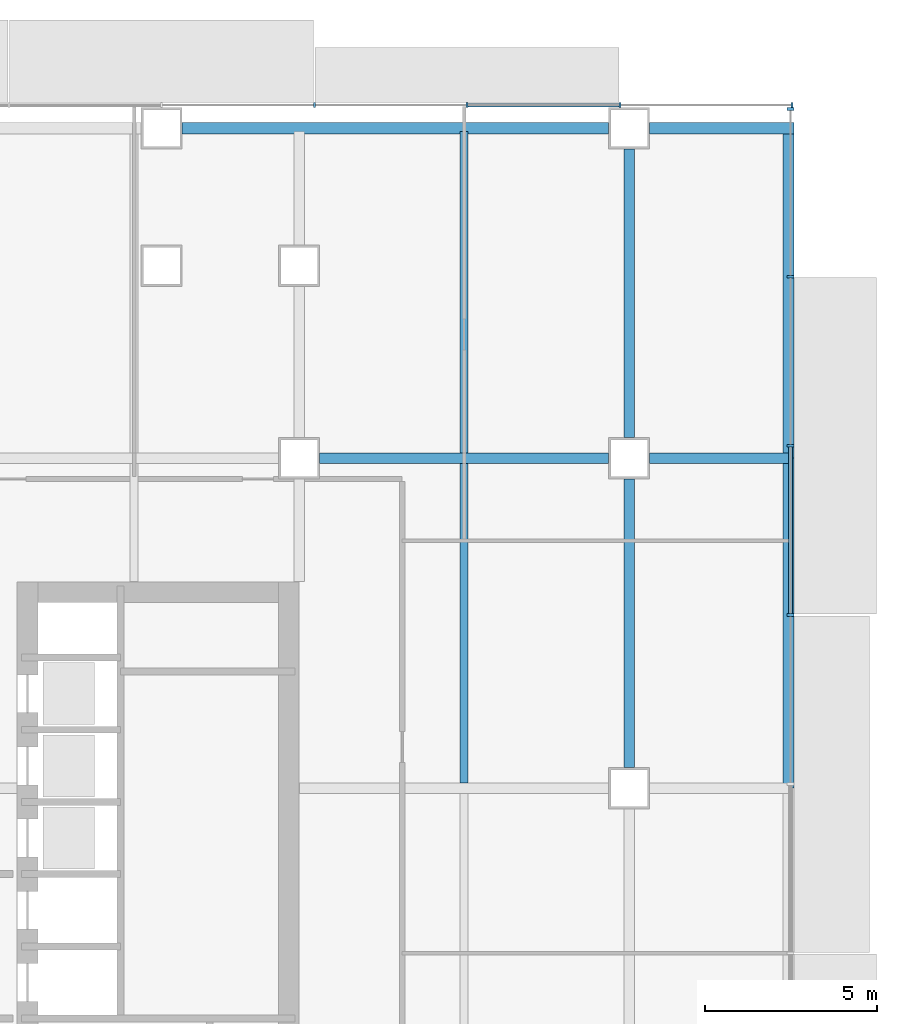
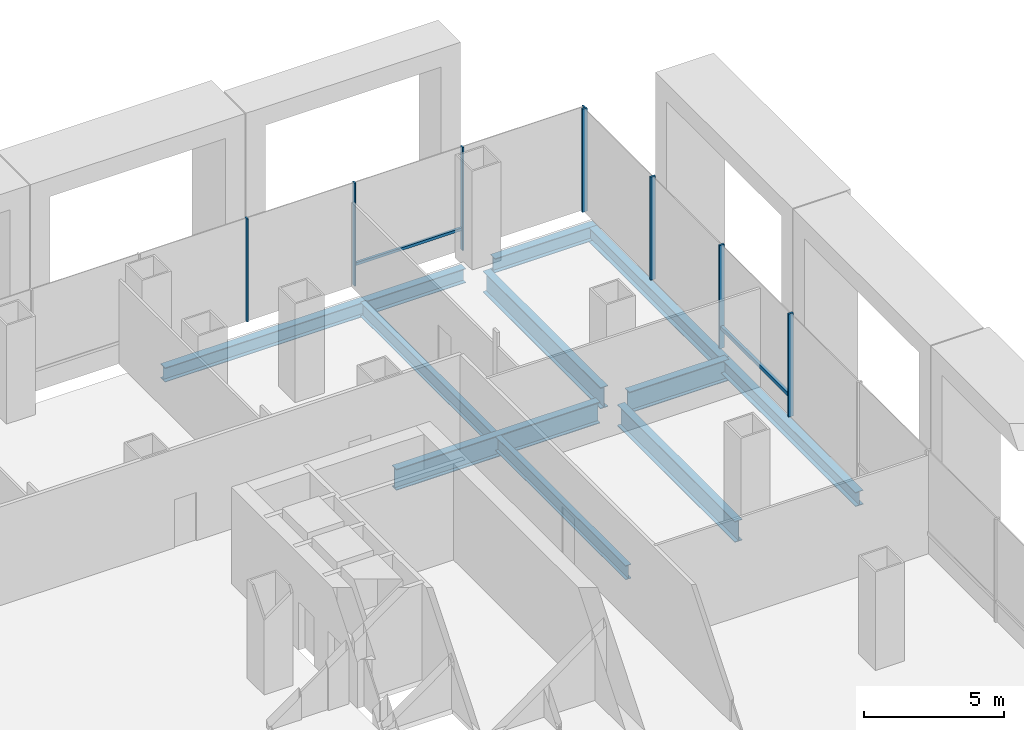
# One storey, part 11 of 23: 10 beams, 10 members, 2 elements without a shape of their own.
"""IFC4 building model written with IfcOpenShell, lengths in metres."""

import ifcopenshell
import ifcopenshell.guid

model = None  # the IFC model being written
_history = None  # IfcOwnerHistory: only IFC2X3 demands one
_inside = {}  # id of a spatial element -> (the spatial element, [elements in it])
_under = {}  # id of a project, library or spatial element -> (it, [spatial elements below it])
_declared = {}  # id of a project -> (the project, [libraries it declares])
_typed = {}  # id of a type object -> (the type object, [elements of that type])
_made_of = {}  # id of a material, layer set ... -> (it, [elements and type objects made of it])


def new_model(schema):
    """Start an empty IFC model of exactly this schema.

    Asked for "IFC4X3", IfcOpenShell would pick the latest addendum, in which some entities
    have other attributes; the version numbers below select the first issue.
    IFC2X3 requires an IfcOwnerHistory on every rooted entity: one is made here for all.
    """
    global model, _history
    if schema == "IFC4X3":
        model = ifcopenshell.file(schema_version=(4, 3, 0, 0))
    else:
        model = ifcopenshell.file(schema=schema)
    _inside.clear()
    _under.clear()
    _declared.clear()
    _typed.clear()
    _made_of.clear()
    _history = None
    if model.schema == "IFC2X3":
        org = make("IfcOrganization", Name="unknown")
        user = make(
            "IfcPersonAndOrganization",
            ThePerson=make("IfcPerson", FamilyName="unknown"),
            TheOrganization=org,
        )
        app = make(
            "IfcApplication",
            ApplicationDeveloper=org,
            Version="unknown",
            ApplicationFullName="unknown",
            ApplicationIdentifier="unknown",
        )
        _history = make(
            "IfcOwnerHistory",
            OwningUser=user,
            OwningApplication=app,
            ChangeAction="ADDED",
            CreationDate=0,
        )
    return model


def make(cls, **values):
    """One entity of the class cls with the attributes given. An attribute that is None is left unset."""
    return model.create_entity(
        cls, **{name: value for name, value in values.items() if value is not None}
    )


def rooted(cls, **values):
    """An entity with a GlobalId (a new one), such as an element, a storey or a relation."""
    return make(cls, GlobalId=ifcopenshell.guid.new(), OwnerHistory=_history, **values)


def si_unit(unit_type, name, prefix=None):
    """IfcSIUnit, for example si_unit("LENGTHUNIT", "METRE", prefix="MILLI")."""
    return make("IfcSIUnit", UnitType=unit_type, Prefix=prefix, Name=name)


def assignment(units):
    """IfcUnitAssignment: the units of a project."""
    return None if units is None else make("IfcUnitAssignment", Units=units)


def point(xyz):
    """IfcCartesianPoint."""
    return None if xyz is None else make("IfcCartesianPoint", Coordinates=xyz)


def direction(xyz):
    """IfcDirection."""
    return None if xyz is None else make("IfcDirection", DirectionRatios=xyz)


def frame(location, z_axis=None, x_axis=None):
    """IfcAxis2Placement3D, a coordinate frame: its origin and axes. An axis left out is left unset."""
    return make(
        "IfcAxis2Placement3D",
        Location=point(location),
        Axis=direction(z_axis),
        RefDirection=direction(x_axis),
    )


def frame_2d(location, x_axis=None):
    """IfcAxis2Placement2D, a coordinate frame in the plane: its origin and x axis."""
    return make(
        "IfcAxis2Placement2D", Location=point(location), RefDirection=direction(x_axis)
    )


def origin():
    """The frame at (0, 0, 0) with its axes left unset."""
    return frame((0.0, 0.0, 0.0))


def origin_2d():
    """The frame at (0, 0) in the plane with its x axis left unset."""
    return frame_2d((0.0, 0.0))


def place(relative_to, where):
    """IfcLocalPlacement: puts the frame where relative to a parent placement (None: the world)."""
    return make(
        "IfcLocalPlacement", PlacementRelTo=relative_to, RelativePlacement=where
    )


def context(
    kind, dimensions, precision=None, world=None, true_north=None, identifier=None
):
    """IfcGeometricRepresentationContext, for example the 3D "Model" context."""
    return make(
        "IfcGeometricRepresentationContext",
        ContextIdentifier=identifier,
        ContextType=kind,
        CoordinateSpaceDimension=dimensions,
        Precision=precision,
        WorldCoordinateSystem=world,
        TrueNorth=true_north,
    )


def subcontext(parent, identifier, kind, view, scale=None):
    """IfcGeometricRepresentationSubContext, for example "Body" below "Model"."""
    return make(
        "IfcGeometricRepresentationSubContext",
        ContextIdentifier=identifier,
        ContextType=kind,
        ParentContext=parent,
        TargetScale=scale,
        TargetView=view,
    )


def project(units=None, contexts=None):
    """IfcProject with its units and contexts."""
    return rooted(
        "IfcProject",
        Name="project",
        RepresentationContexts=contexts,
        UnitsInContext=assignment(units),
    )


def spatial(cls, under=None, at=None, **own):
    """A site, building, storey or space (cls), placed at a placement, below another one or the project."""
    s = rooted(cls, ObjectPlacement=at, **own)
    if under is not None:
        _under.setdefault(under.id(), (under, []))[1].append(s)
    return s


def profile(cls, at=None, kind="AREA", **sizes):
    """A parametric profile (cls). Its sizes go by their IFC names, for example OverallWidth=200.0."""
    return make(cls, ProfileType=kind, Position=at, **sizes)


def rectangle(**sizes):
    """IfcRectangleProfileDef."""
    return profile("IfcRectangleProfileDef", **sizes)


def i_section(**sizes):
    """IfcIShapeProfileDef."""
    return profile("IfcIShapeProfileDef", **sizes)


def extrude(swept, where, along, depth):
    """IfcExtrudedAreaSolid: the profile swept, set in the frame where, extruded along a direction by depth."""
    return make(
        "IfcExtrudedAreaSolid",
        SweptArea=swept,
        Position=where,
        ExtrudedDirection=direction(along),
        Depth=depth,
    )


def shape(context_of_items, identifier, shape_type, items):
    """IfcShapeRepresentation: the items that make up one representation, for example the "Body"."""
    return make(
        "IfcShapeRepresentation",
        ContextOfItems=context_of_items,
        RepresentationIdentifier=identifier,
        RepresentationType=shape_type,
        Items=items,
    )


def material(Name=None, Category=None):
    """IfcMaterial."""
    return make("IfcMaterial", Name=Name, Category=Category)


def material_profile(
    of_material, cross_section, Name=None, Category=None, Priority=None
):
    """IfcMaterialProfile: a cross section and its material."""
    return make(
        "IfcMaterialProfile",
        Name=Name,
        Material=of_material,
        Profile=cross_section,
        Priority=Priority,
        Category=Category,
    )


def profile_set(profiles, Name=None, composite=None):
    """IfcMaterialProfileSet."""
    return make(
        "IfcMaterialProfileSet",
        Name=Name,
        MaterialProfiles=profiles,
        CompositeProfile=composite,
    )


def made_of(thing, what):
    """Note that an element or type object is made of a material, layer set ...; save() writes the relation."""
    if what is not None:
        _made_of.setdefault(what.id(), (what, []))[1].append(thing)
    return thing


def type_object(cls, material=None, **own):
    """A type object (cls), such as IfcWallType, which elements share."""
    return made_of(rooted(cls, **own), material)


def element(
    cls,
    number,
    at=None,
    inside=None,
    cuts=None,
    type_object=None,
    material=None,
    context=None,
    identifier="Body",
    shape_type=None,
    held_by="IfcProductDefinitionShape",
    body=None,
    shapes=None,
    **own,
):
    """One element of the class cls, such as IfcWall. Its Tag is "e" and its number.

    at: its placement. inside: the storey or other place that contains it. cuts: it is an
    opening in that element (IfcRelVoidsElement). A single representation is given by context,
    identifier, shape_type and body (its items); several are given by shapes. held_by: the class
    of the entity that holds the representations. save() writes the other relations.
    """
    e = rooted(cls, Tag="e%d" % number, ObjectPlacement=at, **own)
    if body is not None:
        shapes = [shape(context, identifier, shape_type, body)]
    if shapes is not None:
        e.Representation = make(held_by, Representations=shapes)
    if inside is not None:
        _inside.setdefault(inside.id(), (inside, []))[1].append(e)
    if cuts is not None:
        rooted(
            "IfcRelVoidsElement", RelatingBuildingElement=cuts, RelatedOpeningElement=e
        )
    if type_object is not None:
        _typed.setdefault(type_object.id(), (type_object, []))[1].append(e)
    return made_of(e, material)


def aggregate(whole, parts):
    """IfcRelAggregates: a whole, such as a stair, and the parts it consists of."""
    return rooted("IfcRelAggregates", RelatingObject=whole, RelatedObjects=parts)


def save(model, path):
    """Write the relations noted so far, then the file.

    IfcRelAggregates (storeys below a building ...), IfcRelContainedInSpatialStructure (elements
    in a storey), IfcRelDefinesByType, IfcRelAssociatesMaterial and IfcRelDeclares: one each for
    every whole, place, type object, material and project.
    """
    for whole, parts in _under.values():
        aggregate(whole, parts)
    for where, things in _inside.values():
        rooted(
            "IfcRelContainedInSpatialStructure",
            RelatedElements=things,
            RelatingStructure=where,
        )
    for kind, things in _typed.values():
        rooted("IfcRelDefinesByType", RelatedObjects=things, RelatingType=kind)
    for what, things in _made_of.values():
        rooted("IfcRelAssociatesMaterial", RelatedObjects=things, RelatingMaterial=what)
    for by, libraries in _declared.values():
        rooted("IfcRelDeclares", RelatingContext=by, RelatedDefinitions=libraries)
    model.write(path)


model = new_model("IFC4")

# Units and contexts
model_context = context("Model", 3, precision=1e-05, world=origin(), true_north=direction((0.0, 1.0)))
body_context = subcontext(model_context, "Body", "Model", "MODEL_VIEW")
ifc_project = project(units=[si_unit("LENGTHUNIT", "METRE"), si_unit("AREAUNIT", "SQUARE_METRE"), si_unit("VOLUMEUNIT", "CUBIC_METRE"), si_unit("PLANEANGLEUNIT", "RADIAN"), si_unit("MASSUNIT", "GRAM", prefix="KILO")], contexts=[model_context])

# Site, building, storey
site_placement = place(None, origin())
site = spatial("IfcSite", under=ifc_project, at=site_placement, CompositionType="ELEMENT")
building_placement = place(site_placement, origin())
building = spatial("IfcBuilding", under=site, at=building_placement, Name="Cobrizo Arcos Hotel Tower", CompositionType="ELEMENT")
storey_placement = place(building_placement, frame((0.0, 0.0, 24.5)))
storey = spatial("IfcBuildingStorey", under=building, at=storey_placement, Name="L04", CompositionType="ELEMENT", Elevation=24.5)

# Curtain wall, members
ifc_material_1 = material(Name="Aluminium 6063-T6 anodised bronze", Category="aluminium")
curtain_wall_type_1 = type_object("IfcCurtainWallType", Name="CW-A guest facade", PredefinedType="NOTDEFINED", material=ifc_material_1)
curtain_wall_1_placement = place(storey_placement, origin())
curtain_wall_1 = element("IfcCurtainWall", 1, at=curtain_wall_1_placement, inside=storey, type_object=curtain_wall_type_1, Name="CW-A L04 N face", PredefinedType="NOTDEFINED")
ifc_material_profile_1 = material_profile(ifc_material_1, rectangle(XDim=0.14990234375, YDim=0.06005859375, at=origin_2d()), Name="CW-A mullion 150x60")
ifc_profile_set_1 = profile_set([ifc_material_profile_1], Name="Aluminium 6063-T6 anodised bronze")
member_type_1 = type_object("IfcMemberType", Name="CW-A mullion 150x60", PredefinedType="MULLION", material=ifc_profile_set_1)
member_1_placement = place(storey_placement, frame((38.344970703125, 24.675048828125, 0.0), z_axis=(0.0, 0.0, 1.0), x_axis=(0.0, 1.0, 0.0)))
member_1 = element("IfcMember", 2, at=member_1_placement, type_object=member_type_1, Name="CW-A mullion 1", PredefinedType="MULLION", context=body_context, shape_type="SweptSolid", body=[
    extrude(rectangle(XDim=0.14990234375, YDim=0.06005859375, at=origin_2d()), origin(), (0.0, 0.0, 1.0), 4.5),
])
member_2_placement = place(storey_placement, frame((33.333251953125, 24.675048828125, 0.0), z_axis=(0.0, 0.0, 1.0), x_axis=(0.0, 1.0, 0.0)))
member_2 = element("IfcMember", 3, at=member_2_placement, type_object=member_type_1, Name="CW-A mullion 2", PredefinedType="MULLION", context=body_context, shape_type="SweptSolid", body=[
    extrude(rectangle(XDim=0.14990234375, YDim=0.06005859375, at=origin_2d()), origin(), (0.0, 0.0, 1.0), 4.5),
])
member_3_placement = place(storey_placement, frame((28.888916015625, 24.675048828125, 0.0), z_axis=(0.0, 0.0, 1.0), x_axis=(0.0, 1.0, 0.0)))
member_3 = element("IfcMember", 4, at=member_3_placement, type_object=member_type_1, Name="CW-A mullion 3", PredefinedType="MULLION", context=body_context, shape_type="SweptSolid", body=[
    extrude(rectangle(XDim=0.14990234375, YDim=0.06005859375, at=origin_2d()), origin(), (0.0, 0.0, 1.0), 4.5),
])
member_4_placement = place(storey_placement, frame((24.4443359375, 24.675048828125, 0.0), z_axis=(0.0, 0.0, 1.0), x_axis=(0.0, 1.0, 0.0)))
member_4 = element("IfcMember", 5, at=member_4_placement, type_object=member_type_1, Name="CW-A mullion 4", PredefinedType="MULLION", context=body_context, shape_type="SweptSolid", body=[
    extrude(rectangle(XDim=0.14990234375, YDim=0.06005859375, at=origin_2d()), origin(), (0.0, 0.0, 1.0), 4.5),
])
ifc_material_profile_2 = material_profile(ifc_material_1, rectangle(XDim=0.10009765625, YDim=0.1201171875, at=origin_2d()), Name="CW-A transom 120x100")
ifc_profile_set_2 = profile_set([ifc_material_profile_2], Name="Aluminium 6063-T6 anodised bronze")
member_type_2 = type_object("IfcMemberType", Name="CW-A transom 120x100", PredefinedType="USERDEFINED", material=ifc_profile_set_2)
member_5_placement = place(storey_placement, frame((33.30322265625, 24.675048828125, 0.929931640625), z_axis=(-1.0, 0.0, 0.0), x_axis=(0.0, -1.0, 0.0)))
member_5 = element("IfcMember", 6, at=member_5_placement, type_object=member_type_2, Name="CW-A transom 226", ObjectType="TRANSOM", PredefinedType="USERDEFINED", context=body_context, shape_type="SweptSolid", body=[
    extrude(rectangle(XDim=0.10009765625, YDim=0.1201171875, at=origin_2d()), origin(), (0.0, 0.0, 1.0), 4.38427734375),
])
aggregate(curtain_wall_1, [member_1, member_2, member_3, member_4, member_5])

curtain_wall_type_2 = type_object("IfcCurtainWallType", Name="CW-B podium glazing", PredefinedType="NOTDEFINED", material=ifc_material_1)
curtain_wall_2_placement = place(storey_placement, origin())
curtain_wall_2 = element("IfcCurtainWall", 7, at=curtain_wall_2_placement, inside=storey, type_object=curtain_wall_type_2, Name="CW-B L04 E face", PredefinedType="NOTDEFINED")
ifc_material_profile_3 = material_profile(ifc_material_1, rectangle(XDim=0.199951171875, YDim=0.080078125, at=origin_2d()), Name="CW-B mullion 200x80")
ifc_profile_set_3 = profile_set([ifc_material_profile_3], Name="Aluminium 6063-T6 anodised bronze")
member_type_3 = type_object("IfcMemberType", Name="CW-B mullion 200x80", PredefinedType="MULLION", material=ifc_profile_set_3)
member_6_placement = place(storey_placement, frame((38.300048828125, 9.840087890625, 0.0), z_axis=(0.0, 0.0, 1.0), x_axis=(1.0, 0.0, 0.0)))
member_6 = element("IfcMember", 8, at=member_6_placement, type_object=member_type_3, Name="CW-B mullion 8", PredefinedType="MULLION", context=body_context, shape_type="SweptSolid", body=[
    extrude(rectangle(XDim=0.199951171875, YDim=0.080078125, at=origin_2d()), origin(), (0.0, 0.0, 1.0), 4.5),
])
member_7_placement = place(storey_placement, frame((38.300048828125, 14.760009765625, 0.0), z_axis=(0.0, 0.0, 1.0), x_axis=(1.0, 0.0, 0.0)))
member_7 = element("IfcMember", 9, at=member_7_placement, type_object=member_type_3, Name="CW-B mullion 9", PredefinedType="MULLION", context=body_context, shape_type="SweptSolid", body=[
    extrude(rectangle(XDim=0.199951171875, YDim=0.080078125, at=origin_2d()), origin(), (0.0, 0.0, 1.0), 4.5),
])
member_8_placement = place(storey_placement, frame((38.300048828125, 19.679931640625, 0.0), z_axis=(0.0, 0.0, 1.0), x_axis=(1.0, 0.0, 0.0)))
member_8 = element("IfcMember", 10, at=member_8_placement, type_object=member_type_3, Name="CW-B mullion 10", PredefinedType="MULLION", context=body_context, shape_type="SweptSolid", body=[
    extrude(rectangle(XDim=0.199951171875, YDim=0.080078125, at=origin_2d()), origin(), (0.0, 0.0, 1.0), 4.5),
])
member_9_placement = place(storey_placement, frame((38.300048828125, 24.56005859375, 0.0), z_axis=(0.0, 0.0, 1.0), x_axis=(1.0, 0.0, 0.0)))
member_9 = element("IfcMember", 11, at=member_9_placement, type_object=member_type_3, Name="CW-B mullion 11", PredefinedType="MULLION", context=body_context, shape_type="SweptSolid", body=[
    extrude(rectangle(XDim=0.199951171875, YDim=0.080078125, at=origin_2d()), origin(), (0.0, 0.0, 1.0), 4.5),
])
ifc_material_profile_4 = material_profile(ifc_material_1, rectangle(XDim=0.1201171875, YDim=0.159912109375, at=origin_2d()), Name="CW-B transom 160x120")
ifc_profile_set_4 = profile_set([ifc_material_profile_4], Name="Aluminium 6063-T6 anodised bronze")
member_type_4 = type_object("IfcMemberType", Name="CW-B transom 160x120", PredefinedType="USERDEFINED", material=ifc_profile_set_4)
member_10_placement = place(storey_placement, frame((38.300048828125, 9.8798828125, 0.89990234375), z_axis=(0.0, 1.0, 0.0), x_axis=(-1.0, 0.0, 0.0)))
member_10 = element("IfcMember", 12, at=member_10_placement, type_object=member_type_4, Name="CW-B transom 222", ObjectType="TRANSOM", PredefinedType="USERDEFINED", context=body_context, shape_type="SweptSolid", body=[
    extrude(rectangle(XDim=0.1201171875, YDim=0.159912109375, at=origin_2d()), origin(), (0.0, 0.0, 1.0), 4.840087890625),
])
aggregate(curtain_wall_2, [member_6, member_7, member_8, member_9, member_10])

# Beams
ifc_material_2 = material(Name="Steel ASTM A992 Grade 50", Category="steel")
ifc_material_profile_5 = material_profile(ifc_material_2, i_section(OverallWidth=0.32763671875, OverallDepth=0.622314453125, WebThickness=0.015380859375, FlangeThickness=0.0244140625, at=origin_2d()), Name="W24X131")
ifc_profile_set_5 = profile_set([ifc_material_profile_5], Name="Steel ASTM A992 Grade 50")
beam_type_1 = type_object("IfcBeamType", Name="W24X131 edge beam", PredefinedType="BEAM", material=ifc_profile_set_5)
beam_1_placement = place(storey_placement, frame((38.236083984375, 4.800048828125, -0.51123046875), z_axis=(0.0, 1.0, 0.0), x_axis=(-1.0, 0.0, 0.0)))
element("IfcBeam", 13, at=beam_1_placement, inside=storey, type_object=beam_type_1, Name="Edge beam EB1, L04, no. 004", PredefinedType="BEAM", context=body_context, shape_type="SweptSolid", body=[
    extrude(i_section(OverallWidth=0.32763671875, OverallDepth=0.622314453125, WebThickness=0.015380859375, FlangeThickness=0.0244140625, at=origin_2d()), origin(), (0.0, 0.0, 1.0), 9.599853515625),
])
beam_2_placement = place(storey_placement, frame((38.236083984375, 14.39990234375, -0.51123046875), z_axis=(0.0, 1.0, 0.0), x_axis=(-1.0, 0.0, 0.0)))
element("IfcBeam", 14, at=beam_2_placement, inside=storey, type_object=beam_type_1, Name="Edge beam EB1, L04, no. 005", PredefinedType="BEAM", context=body_context, shape_type="SweptSolid", body=[
    extrude(i_section(OverallWidth=0.32763671875, OverallDepth=0.622314453125, WebThickness=0.015380859375, FlangeThickness=0.0244140625, at=origin_2d()), origin(), (0.0, 0.0, 1.0), 9.60009765625),
])
beam_3_placement = place(storey_placement, frame((38.39990234375, 24.0, -0.51123046875), z_axis=(-1.0, 0.0, 0.0), x_axis=(0.0, -1.0, 0.0)))
element("IfcBeam", 15, at=beam_3_placement, inside=storey, type_object=beam_type_1, Name="Edge beam EB1, L04, no. 006", PredefinedType="BEAM", context=body_context, shape_type="SweptSolid", body=[
    extrude(i_section(OverallWidth=0.32763671875, OverallDepth=0.622314453125, WebThickness=0.015380859375, FlangeThickness=0.0244140625, at=origin_2d()), origin(), (0.0, 0.0, 1.0), 4.199951171875),
])
ifc_material_profile_6 = material_profile(ifc_material_2, i_section(OverallWidth=0.32763671875, OverallDepth=0.622314453125, WebThickness=0.015380859375, FlangeThickness=0.0244140625, at=origin_2d()), Name="W24X131")
ifc_profile_set_6 = profile_set([ifc_material_profile_6], Name="Steel ASTM A992 Grade 50")
beam_type_2 = type_object("IfcBeamType", Name="W24X131 spandrel", PredefinedType="SPANDREL", material=ifc_profile_set_6)
beam_4_placement = place(storey_placement, frame((33.0, 24.0, -0.51123046875), z_axis=(-1.0, 0.0, 0.0), x_axis=(0.0, -1.0, 0.0)))
element("IfcBeam", 16, at=beam_4_placement, inside=storey, type_object=beam_type_2, Name="Spandrel beam W24X131, L04, no. 001", PredefinedType="SPANDREL", context=body_context, shape_type="SweptSolid", body=[
    extrude(i_section(OverallWidth=0.32763671875, OverallDepth=0.622314453125, WebThickness=0.015380859375, FlangeThickness=0.0244140625, at=origin_2d()), origin(), (0.0, 0.0, 1.0), 12.39990234375),
])
ifc_material_profile_7 = material_profile(ifc_material_2, i_section(OverallWidth=0.23046875, OverallDepth=0.6171875, WebThickness=0.01318359375, FlangeThickness=0.022216796875, at=origin_2d()), Name="W24X94")
ifc_profile_set_7 = profile_set([ifc_material_profile_7], Name="Steel ASTM A992 Grade 50")
beam_type_3 = type_object("IfcBeamType", Name="W24X94 podium joist", PredefinedType="JOIST", material=ifc_profile_set_7)
beam_5_placement = place(storey_placement, frame((28.800048828125, 4.95361328125, -0.508544921875), z_axis=(0.0, 1.0, 0.0), x_axis=(-1.0, 0.0, 0.0)))
element("IfcBeam", 17, at=beam_5_placement, inside=storey, type_object=beam_type_3, Name="Podium joist PJ1, L04, no. 032", PredefinedType="JOIST", context=body_context, shape_type="SweptSolid", body=[
    extrude(i_section(OverallWidth=0.23046875, OverallDepth=0.6171875, WebThickness=0.01318359375, FlangeThickness=0.022216796875, at=origin_2d()), origin(), (0.0, 0.0, 1.0), 9.292724609375),
])
beam_6_placement = place(storey_placement, frame((28.800048828125, 14.5537109375, -0.508544921875), z_axis=(0.0, 1.0, 0.0), x_axis=(-1.0, 0.0, 0.0)))
element("IfcBeam", 18, at=beam_6_placement, inside=storey, type_object=beam_type_3, Name="Podium joist PJ1, L04, no. 033", PredefinedType="JOIST", context=body_context, shape_type="SweptSolid", body=[
    extrude(i_section(OverallWidth=0.23046875, OverallDepth=0.6171875, WebThickness=0.01318359375, FlangeThickness=0.022216796875, at=origin_2d()), origin(), (0.0, 0.0, 1.0), 9.356201171875),
])
ifc_material_profile_8 = material_profile(ifc_material_2, i_section(OverallWidth=0.307373046875, OverallDepth=0.927001953125, WebThickness=0.01953125, FlangeThickness=0.031982421875, at=origin_2d()), Name="W36X194")
ifc_profile_set_8 = profile_set([ifc_material_profile_8], Name="Steel ASTM A992 Grade 50")
beam_type_4 = type_object("IfcBeamType", Name="W36X194 podium girder", PredefinedType="BEAM", material=ifc_profile_set_8)
beam_7_placement = place(storey_placement, frame((24.60009765625, 14.39990234375, -0.66357421875), z_axis=(1.0, 0.0, 0.0), x_axis=(0.0, 1.0, 0.0)))
element("IfcBeam", 19, at=beam_7_placement, inside=storey, type_object=beam_type_4, Name="Podium girder PG1, L04, no. 033", PredefinedType="BEAM", context=body_context, shape_type="SweptSolid", body=[
    extrude(i_section(OverallWidth=0.307373046875, OverallDepth=0.927001953125, WebThickness=0.01953125, FlangeThickness=0.031982421875, at=origin_2d()), origin(), (0.0, 0.0, 1.0), 8.39990234375),
])
beam_8_placement = place(storey_placement, frame((34.199951171875, 14.39990234375, -0.66357421875), z_axis=(1.0, 0.0, 0.0), x_axis=(0.0, 1.0, 0.0)))
element("IfcBeam", 20, at=beam_8_placement, inside=storey, type_object=beam_type_4, Name="Podium girder PG1, L04, no. 034", PredefinedType="BEAM", context=body_context, shape_type="SweptSolid", body=[
    extrude(i_section(OverallWidth=0.307373046875, OverallDepth=0.927001953125, WebThickness=0.01953125, FlangeThickness=0.031982421875, at=origin_2d()), origin(), (0.0, 0.0, 1.0), 4.110107421875),
])
beam_9_placement = place(storey_placement, frame((33.60009765625, 5.39990234375, -0.66357421875), z_axis=(0.0, 1.0, 0.0), x_axis=(-1.0, 0.0, 0.0)))
element("IfcBeam", 21, at=beam_9_placement, inside=storey, type_object=beam_type_4, Name="Podium girder PG1, L04, no. 075", PredefinedType="BEAM", context=body_context, shape_type="SweptSolid", body=[
    extrude(i_section(OverallWidth=0.307373046875, OverallDepth=0.927001953125, WebThickness=0.01953125, FlangeThickness=0.031982421875, at=origin_2d()), origin(), (0.0, 0.0, 1.0), 8.400146484375),
])
beam_10_placement = place(storey_placement, frame((33.60009765625, 15.0, -0.66357421875), z_axis=(0.0, 1.0, 0.0), x_axis=(-1.0, 0.0, 0.0)))
element("IfcBeam", 22, at=beam_10_placement, inside=storey, type_object=beam_type_4, Name="Podium girder PG1, L04, no. 076", PredefinedType="BEAM", context=body_context, shape_type="SweptSolid", body=[
    extrude(i_section(OverallWidth=0.307373046875, OverallDepth=0.927001953125, WebThickness=0.01953125, FlangeThickness=0.031982421875, at=origin_2d()), origin(), (0.0, 0.0, 1.0), 8.39990234375),
])

save(model, "model.ifc")
